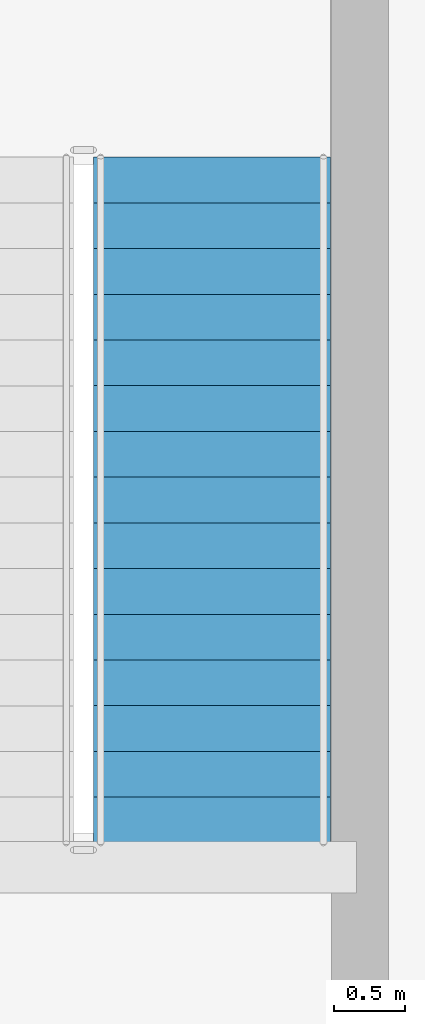
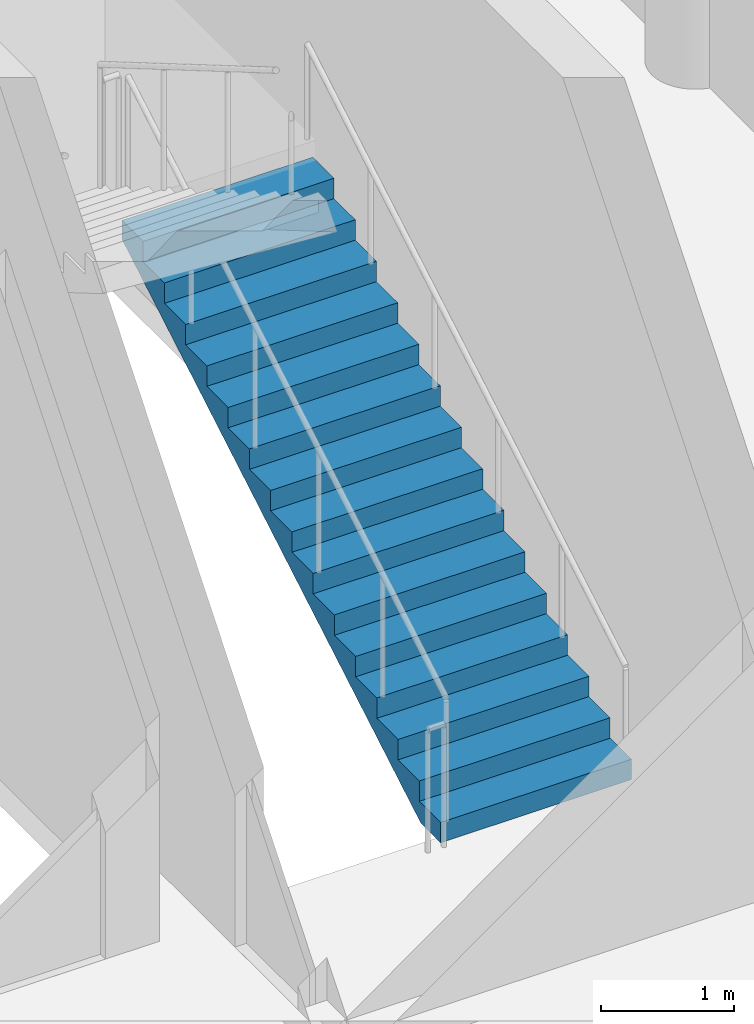
# One storey, part 15 of 19: 1 stair flight, 1 element without a shape of its own.
"""IFC4 building model written with IfcOpenShell, lengths in metres."""

from ifc_helpers import new_model, si_unit, direction, frame, origin, place, context, subcontext, project, spatial, polyline, outline, extrude, material, type_object, element, aggregate, save


model = new_model("IFC4")

# Units and contexts
model_context = context("Model", 3, precision=1e-05, world=origin(), true_north=direction((0.0, 1.0)))
body_context = subcontext(model_context, "Body", "Model", "MODEL_VIEW")
ifc_project = project(units=[si_unit("LENGTHUNIT", "METRE"), si_unit("AREAUNIT", "SQUARE_METRE"), si_unit("VOLUMEUNIT", "CUBIC_METRE"), si_unit("PLANEANGLEUNIT", "RADIAN"), si_unit("MASSUNIT", "GRAM", prefix="KILO")], contexts=[model_context])

# Site, building, storey
site_placement = place(None, origin())
site = spatial("IfcSite", under=ifc_project, at=site_placement, CompositionType="ELEMENT")
building_placement = place(site_placement, origin())
building = spatial("IfcBuilding", under=site, at=building_placement, Name="Kallvorn Hotel Tower", CompositionType="ELEMENT")
storey_placement = place(building_placement, frame((0.0, 0.0, 89.199951171875)))
storey = spatial("IfcBuildingStorey", under=building, at=storey_placement, Name="L21", CompositionType="ELEMENT", Elevation=89.199951171875)

# Stair, stair flight
ifc_material_1 = material(Name="Precast concrete C40/50", Category="concrete")
stair_type = type_object("IfcStairType", Name="STR_CORE_DOGLEG", PredefinedType="HALF_TURN_STAIR", material=ifc_material_1)
stair_placement = place(storey_placement, origin())
stair = element("IfcStair", 1, at=stair_placement, inside=storey, type_object=stair_type, Name="L21 Exit stair ST2", PredefinedType="HALF_TURN_STAIR")
ifc_material_2 = material(Name="Precast concrete C40/50", Category="concrete")
stair_flight_type = type_object("IfcStairFlightType", Name="FLT_CORE_1660", PredefinedType="STRAIGHT", material=ifc_material_2)
stair_flight_placement = place(storey_placement, frame((13.22998046875, -3.139892578125, 0.0), z_axis=(0.0, 0.0, 1.0), x_axis=(0.0, 1.0, 0.0)))
stair_flight = element("IfcStairFlight", 2, at=stair_flight_placement, type_object=stair_flight_type, Name="ST2 flight 1", NumberOfRisers=16, NumberOfTreads=15, PredefinedType="STRAIGHT", RiserHeight=0.1875, TreadLength=0.32, context=body_context, shape_type="SweptSolid", body=[
    extrude(outline(polyline([(0.0, 0.0), (0.0, 0.1875), (0.320068359375, 0.1875), (0.320068359375, 0.375), (0.639892578125, 0.375), (0.639892578125, 0.5625), (0.9599609375, 0.5625), (0.9599609375, 0.75), (1.280029296875, 0.75), (1.280029296875, 0.9375), (1.60009765625, 0.9375), (1.60009765625, 1.125), (1.919921875, 1.125), (1.919921875, 1.3125), (2.239990234375, 1.3125), (2.239990234375, 1.5), (2.56005859375, 1.5), (2.56005859375, 1.6875), (2.8798828125, 1.6875), (2.8798828125, 1.875), (3.199951171875, 1.875), (3.199951171875, 2.0625), (3.52001953125, 2.0625), (3.52001953125, 2.25), (3.840087890625, 2.25), (3.840087890625, 2.4375), (4.159912109375, 2.4375), (4.159912109375, 2.625), (4.47998046875, 2.625), (4.47998046875, 2.8125), (4.800048828125, 2.8125), (4.800048828125, 3.0), (4.800048828125, 2.638671875), (0.296630859375, 0.0), (0.0, 0.0)])), frame((0.0, 0.830078125, 0.0), z_axis=(0.0, -1.0, 0.0), x_axis=(1.0, 0.0, 0.0)), (0.0, 0.0, 1.0), 1.659912109375),
])
aggregate(stair, [stair_flight])

save(model, "model.ifc")
